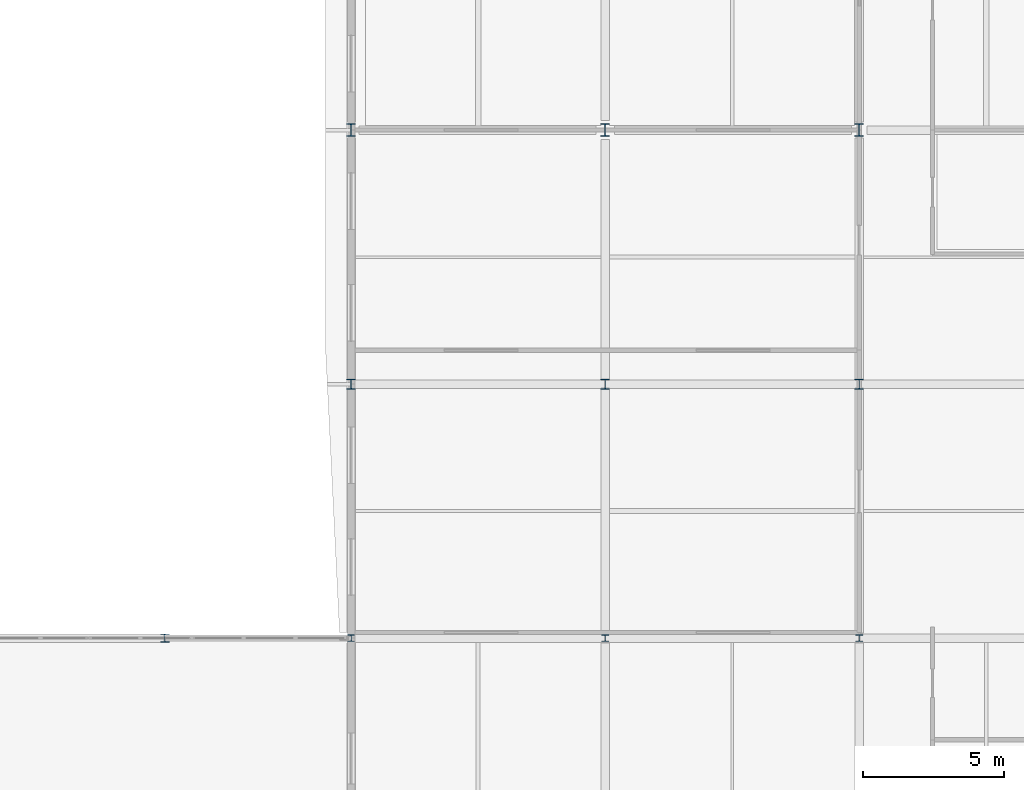
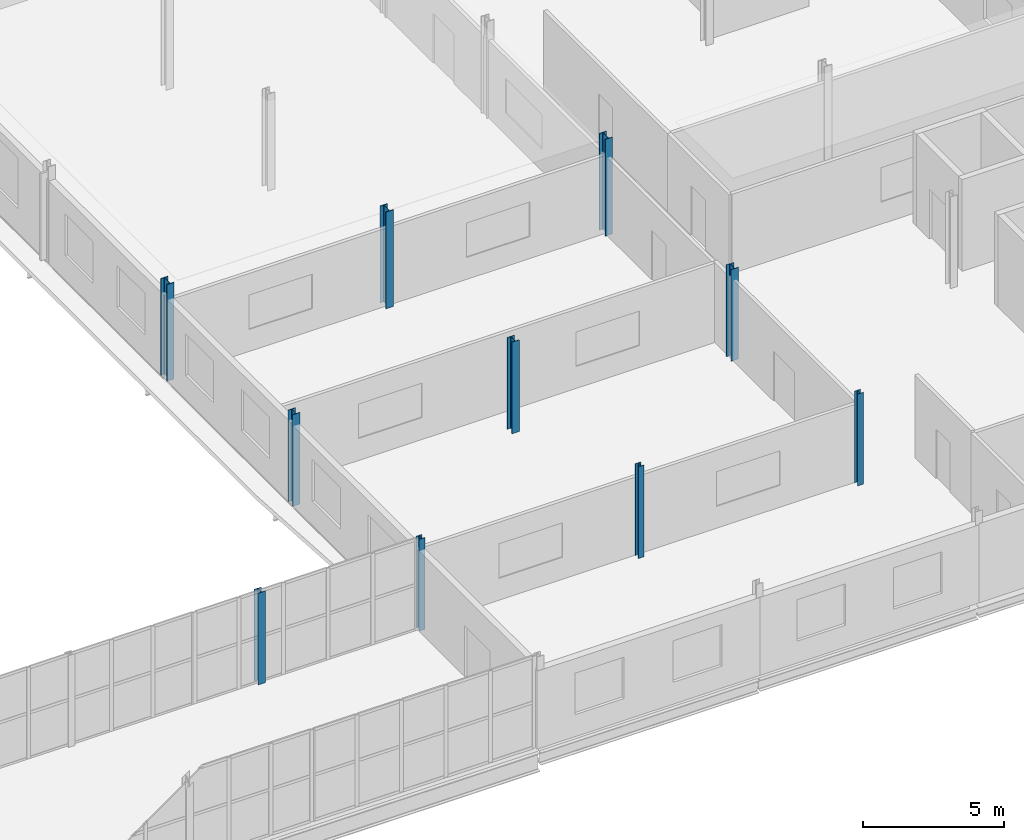
# One storey, part 20 of 138: 10 columns.
"""IFC4 building model written with IfcOpenShell, lengths in metres."""

from ifc_helpers import new_model, si_unit, direction, frame, origin, origin_2d, place, context, subcontext, project, spatial, i_section, extrude, material, material_profile, profile_set, type_object, element, save


model = new_model("IFC4")

# Units and contexts
model_context = context("Model", 3, precision=1e-05, world=origin(), true_north=direction((0.0, 1.0)))
body_context = subcontext(model_context, "Body", "Model", "MODEL_VIEW")
ifc_project = project(units=[si_unit("LENGTHUNIT", "METRE"), si_unit("AREAUNIT", "SQUARE_METRE"), si_unit("VOLUMEUNIT", "CUBIC_METRE"), si_unit("PLANEANGLEUNIT", "RADIAN"), si_unit("MASSUNIT", "GRAM", prefix="KILO")], contexts=[model_context])

# Site, building, storey
site_placement = place(None, origin())
site = spatial("IfcSite", under=ifc_project, at=site_placement, CompositionType="ELEMENT")
building_placement = place(site_placement, origin())
building = spatial("IfcBuilding", under=site, at=building_placement, Name="Vinh Khe Railworks Police Headquarters", CompositionType="ELEMENT")
storey_placement = place(building_placement, frame((0.0, 0.0, 9.0)))
storey = spatial("IfcBuildingStorey", under=building, at=storey_placement, Name="L02", CompositionType="ELEMENT", Elevation=9.0)

# Columns
ifc_material = material(Name="Steel S355JR", Category="steel")
ifc_material_profile_1 = material_profile(ifc_material, i_section(OverallWidth=0.239990234375, OverallDepth=0.22998046875, WebThickness=0.007568359375, FlangeThickness=0.011962890625, FilletRadius=0.02099609375, at=origin_2d()), Name="HEA 240")
ifc_profile_set_1 = profile_set([ifc_material_profile_1], Name="Steel S355JR")
column_type_1 = type_object("IfcColumnType", Name="Steel Column HEA 240", PredefinedType="COLUMN", material=ifc_profile_set_1)
for number, where, z_axis, x_axis, name in (
    (1, (78.0, 104.39990234375, 0.0), (0.0, 0.0, 1.0), (1.0, 0.0, 0.0), "Column COL-L02-SC-20-1158"),
    (2, (87.0, 104.39990234375, 0.0), (0.0, 0.0, 1.0), (1.0, 0.0, 0.0), "Column COL-L02-SC-20-1219"),
    (3, (96.0, 104.39990234375, 0.0), (0.0, 0.0, 1.0), (1.0, 0.0, 0.0), "Column COL-L02-SC-20-1280"),
):
    element("IfcColumn", number, at=place(storey_placement, frame(where, z_axis=z_axis, x_axis=x_axis)), inside=storey, type_object=column_type_1, Name=name, PredefinedType="COLUMN", context=body_context, shape_type="SweptSolid", body=[
        extrude(i_section(OverallWidth=0.239990234375, OverallDepth=0.22998046875, WebThickness=0.007568359375, FlangeThickness=0.011962890625, FilletRadius=0.02099609375, at=origin_2d()), origin(), (0.0, 0.0, 1.0), 3.97998046875),
    ])
ifc_material_profile_2 = material_profile(ifc_material, i_section(OverallWidth=0.300048828125, OverallDepth=0.2900390625, WebThickness=0.008544921875, FlangeThickness=0.013916015625, FilletRadius=0.027099609375, at=origin_2d()), Name="HEA 300")
ifc_profile_set_2 = profile_set([ifc_material_profile_2], Name="Steel S355JR")
column_type_2 = type_object("IfcColumnType", Name="Steel Column HEA 300", PredefinedType="COLUMN", material=ifc_profile_set_2)
column_placement = place(storey_placement, frame((71.39990234375, 104.39990234375, 0.0), z_axis=(0.0, 0.0, 1.0), x_axis=(1.0, 0.0, 0.0)))
element("IfcColumn", 4, at=column_placement, inside=storey, type_object=column_type_2, Name="Column COL-L02-SC-18-1140", PredefinedType="COLUMN", context=body_context, shape_type="SweptSolid", body=[
    extrude(i_section(OverallWidth=0.300048828125, OverallDepth=0.2900390625, WebThickness=0.008544921875, FlangeThickness=0.013916015625, FilletRadius=0.027099609375, at=origin_2d()), origin(), (0.0, 0.0, 1.0), 3.97998046875),
])
ifc_material_profile_3 = material_profile(ifc_material, i_section(OverallWidth=0.300048828125, OverallDepth=0.35009765625, WebThickness=0.010009765625, FlangeThickness=0.017578125, FilletRadius=0.027099609375, at=origin_2d()), Name="HEA 360")
ifc_profile_set_3 = profile_set([ifc_material_profile_3], Name="Steel S355JR")
column_type_3 = type_object("IfcColumnType", Name="Steel Column HEA 360", PredefinedType="COLUMN", material=ifc_profile_set_3)
for number, where, z_axis, x_axis, name in (
    (5, (78.0, 113.39990234375, 0.0), (0.0, 0.0, 1.0), (1.0, 0.0, 0.0), "Column COL-L02-SC-16-1162"),
    (6, (87.0, 113.39990234375, 0.0), (0.0, 0.0, 1.0), (1.0, 0.0, 0.0), "Column COL-L02-SC-16-1223"),
    (7, (96.0, 113.39990234375, 0.0), (0.0, 0.0, 1.0), (1.0, 0.0, 0.0), "Column COL-L02-SC-16-1284"),
):
    element("IfcColumn", number, at=place(storey_placement, frame(where, z_axis=z_axis, x_axis=x_axis)), inside=storey, type_object=column_type_3, Name=name, PredefinedType="COLUMN", context=body_context, shape_type="SweptSolid", body=[
        extrude(i_section(OverallWidth=0.300048828125, OverallDepth=0.35009765625, WebThickness=0.010009765625, FlangeThickness=0.017578125, FilletRadius=0.027099609375, at=origin_2d()), origin(), (0.0, 0.0, 1.0), 3.97998046875),
    ])
ifc_material_profile_4 = material_profile(ifc_material, i_section(OverallWidth=0.300048828125, OverallDepth=0.449951171875, WebThickness=0.013916015625, FlangeThickness=0.02587890625, FilletRadius=0.027099609375, at=origin_2d()), Name="HEB 450")
ifc_profile_set_4 = profile_set([ifc_material_profile_4], Name="Steel S355JR")
column_type_4 = type_object("IfcColumnType", Name="Steel Column HEB 450", PredefinedType="COLUMN", material=ifc_profile_set_4)
for number, where, z_axis, x_axis, name in (
    (8, (78.0, 122.39990234375, 0.0), (0.0, 0.0, 1.0), (1.0, 0.0, 0.0), "Column COL-L02-SC-07-1166"),
    (9, (87.0, 122.39990234375, 0.0), (0.0, 0.0, 1.0), (1.0, 0.0, 0.0), "Column COL-L02-SC-07-1227"),
    (10, (96.0, 122.39990234375, 0.0), (0.0, 0.0, 1.0), (1.0, 0.0, 0.0), "Column COL-L02-SC-07-1288"),
):
    element("IfcColumn", number, at=place(storey_placement, frame(where, z_axis=z_axis, x_axis=x_axis)), inside=storey, type_object=column_type_4, Name=name, PredefinedType="COLUMN", context=body_context, shape_type="SweptSolid", body=[
        extrude(i_section(OverallWidth=0.300048828125, OverallDepth=0.449951171875, WebThickness=0.013916015625, FlangeThickness=0.02587890625, FilletRadius=0.027099609375, at=origin_2d()), origin(), (0.0, 0.0, 1.0), 4.199951171875),
    ])

save(model, "model.ifc")
